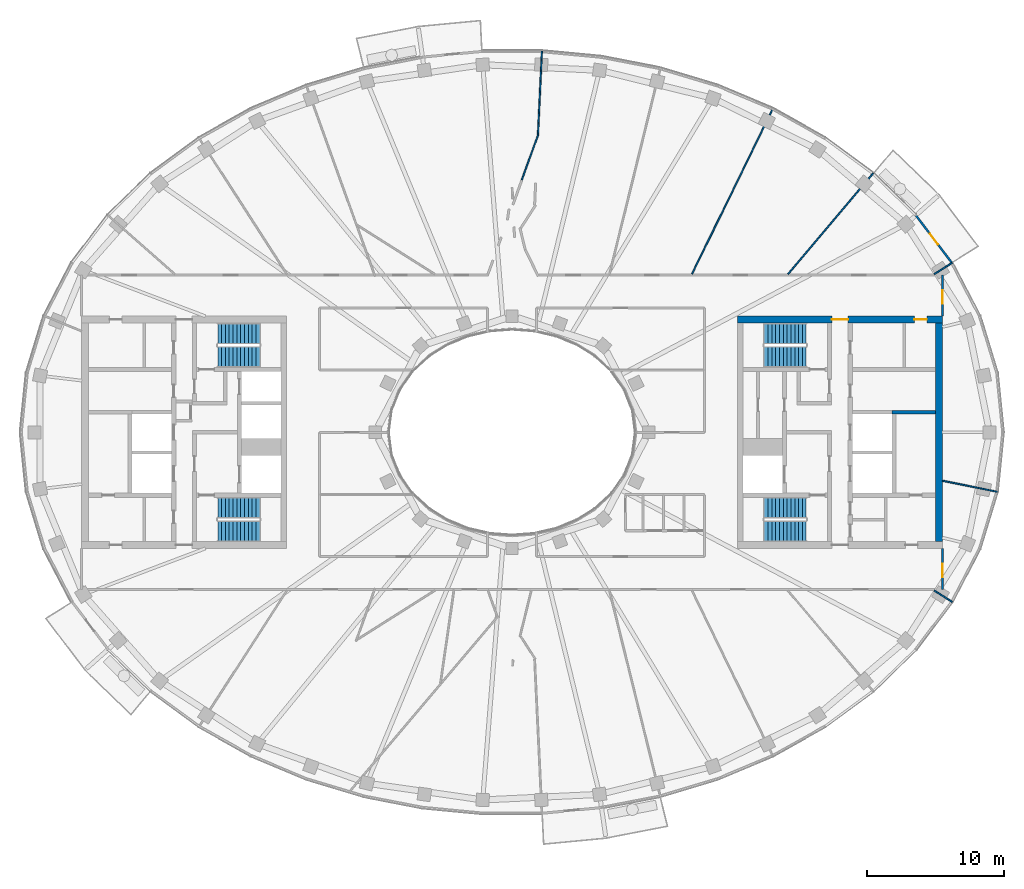
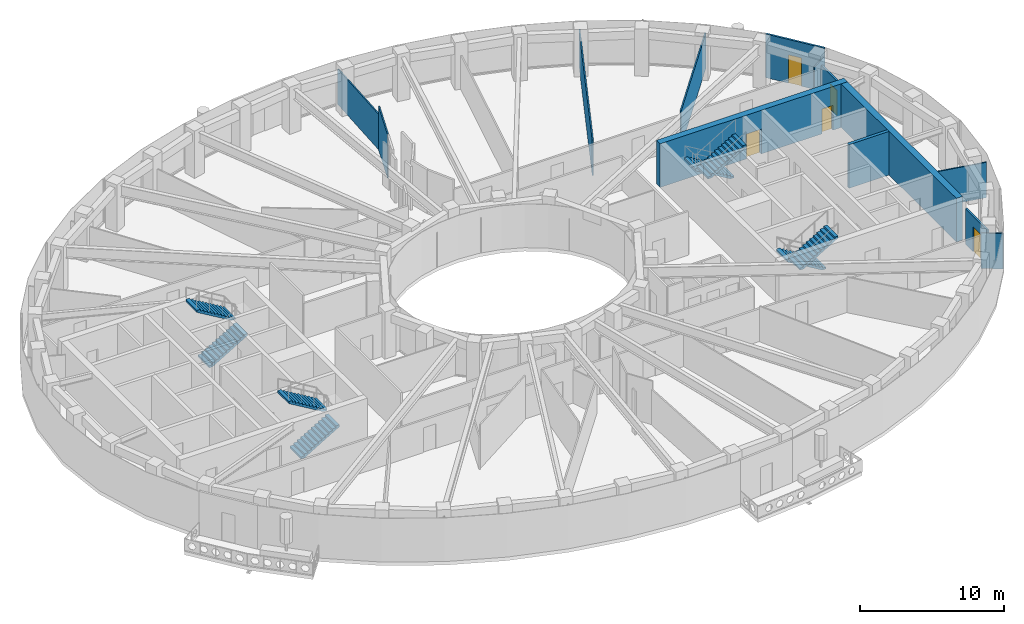
# One storey, part 7 of 16: 13 walls, 8 stair flights, 5 doors, 5 openings, 4 elements without a shape of their own.
"""IFC4 building model written with IfcOpenShell, lengths in metres."""

from ifc_helpers import new_model, si_unit, direction, frame, frame_2d, origin, place, context, subcontext, project, spatial, polyline, rectangle, outline, extrude, material, layer, layer_set, type_object, element, fill, aggregate, save


model = new_model("IFC4")

# Units and contexts
model_context = context("Model", 3, precision=1e-05, world=origin(), true_north=direction((0.0, 1.0)))
body_context = subcontext(model_context, "Body", "Model", "MODEL_VIEW")
ifc_project = project(units=[si_unit("LENGTHUNIT", "METRE"), si_unit("AREAUNIT", "SQUARE_METRE"), si_unit("VOLUMEUNIT", "CUBIC_METRE"), si_unit("PLANEANGLEUNIT", "RADIAN"), si_unit("MASSUNIT", "GRAM", prefix="KILO")], contexts=[model_context])

# Site, building, storey
site_placement = place(None, origin())
site = spatial("IfcSite", under=ifc_project, at=site_placement, CompositionType="ELEMENT")
building_placement = place(site_placement, origin())
building = spatial("IfcBuilding", under=site, at=building_placement, Name="Noorbagh Ring Tower", CompositionType="ELEMENT")
storey_placement = place(building_placement, frame((0.0, 0.0, 311.0)))
storey = spatial("IfcBuildingStorey", under=building, at=storey_placement, Name="L67", CompositionType="ELEMENT", Elevation=311.0)

# Wall
ifc_material_1 = material(Name="Concrete C50/60", Category="concrete")
ifc_layer_1 = layer(ifc_material_1, 0.25)
ifc_layer_set_1 = layer_set([ifc_layer_1], Name="Concrete C50/60")
wall_type_1 = type_object("IfcWallType", Name="CORE-WALL-250-C50-60-EI120", PredefinedType="SHEAR", material=ifc_layer_set_1)
wall_1_placement = place(storey_placement, frame((27.800048828125, 1.47509765625, 0.0), z_axis=(0.0, 0.0, 1.0), x_axis=(1.0, 0.0, 0.0)))
element("IfcWall", 1, at=wall_1_placement, inside=storey, type_object=wall_type_1, Name="Core wall E", PredefinedType="SHEAR", context=body_context, shape_type="SweptSolid", body=[
    extrude(rectangle(XDim=3.199951171875, YDim=0.25, at=frame_2d((1.60009765625, 0.0))), origin(), (0.0, 0.0, 1.0), 3.699951171875),
])

# Wall, openings, doors
ifc_material_2 = material(Name="Concrete C50/60", Category="concrete")
ifc_layer_2 = layer(ifc_material_2, 0.5)
ifc_layer_set_2 = layer_set([ifc_layer_2], Name="Concrete C50/60")
wall_type_2 = type_object("IfcWallType", Name="CORE-WALL-500-C50-60-EI240", PredefinedType="SHEAR", material=ifc_layer_set_2)
wall_2_placement = place(storey_placement, frame((16.5, 8.25, 0.0), z_axis=(0.0, 0.0, 1.0), x_axis=(1.0, 0.0, 0.0)))
wall_2 = element("IfcWall", 2, at=wall_2_placement, inside=storey, type_object=wall_type_2, Name="Core wall E", PredefinedType="SHEAR", context=body_context, shape_type="SweptSolid", body=[
    extrude(rectangle(XDim=15.0, YDim=0.5, at=frame_2d((7.5, 0.0))), origin(), (0.0, 0.0, 1.0), 3.699951171875),
])
opening_1_placement = place(wall_2_placement, frame((6.89990234375, 0.0, 0.0)))
opening_1 = element("IfcOpeningElement", 3, at=opening_1_placement, cuts=wall_2, Name="Opening L67-CE08", PredefinedType="OPENING", context=body_context, shape_type="SweptSolid", body=[
    extrude(rectangle(XDim=1.199951171875, YDim=2.10009765625, at=frame_2d((0.60009765625, 1.050048828125))), frame((0.0, 0.260009765625, 0.0), z_axis=(0.0, -1.0, 0.0), x_axis=(1.0, 0.0, 0.0)), (0.0, 0.0, 1.0), 0.52001953125),
])
opening_2_placement = place(wall_2_placement, frame((12.949951171875, 0.0, 0.0)))
opening_2 = element("IfcOpeningElement", 4, at=opening_2_placement, cuts=wall_2, Name="Opening L67-CE14", PredefinedType="OPENING", context=body_context, shape_type="SweptSolid", body=[
    extrude(rectangle(XDim=0.89990234375, YDim=2.10009765625, at=frame_2d((0.449951171875, 1.050048828125))), frame((0.0, 0.260009765625, 0.0), z_axis=(0.0, -1.0, 0.0), x_axis=(1.0, 0.0, 0.0)), (0.0, 0.0, 1.0), 0.52001953125),
])
ifc_material_3 = material(Name="Steel door leaf", Category="steel")
door_type_1 = type_object("IfcDoorType", Name="CORE-DOOR-DROOM", OperationType="SINGLE_SWING_LEFT", PredefinedType="DOOR", material=ifc_material_3)
door_1_placement = place(opening_2_placement, origin())
door_1 = element("IfcDoor", 5, at=door_1_placement, inside=storey, type_object=door_type_1, Name="Core room door L67-CE14", OperationType="SINGLE_SWING_LEFT", OverallHeight=2.10009765625, OverallWidth=0.89990234375, PredefinedType="DOOR", context=body_context, shape_type="SweptSolid", body=[
    extrude(rectangle(XDim=0.89990234375, YDim=2.10009765625, at=frame_2d((0.449951171875, 1.050048828125))), frame((0.0, 0.02490234375, 0.0), z_axis=(0.0, -1.0, 0.0), x_axis=(1.0, 0.0, 0.0)), (0.0, 0.0, 1.0), 0.050048828125),
])
fill(opening_2, door_1)
ifc_material_4 = material(Name="Steel door leaf", Category="steel")
door_type_2 = type_object("IfcDoorType", Name="CORE-DOOR-PORT", OperationType="DOUBLE_DOOR_DOUBLE_SWING", PredefinedType="DOOR", material=ifc_material_4)
door_2_placement = place(opening_1_placement, origin())
door_2 = element("IfcDoor", 6, at=door_2_placement, inside=storey, type_object=door_type_2, Name="Core entrance door L67-CE08", OperationType="DOUBLE_DOOR_DOUBLE_SWING", OverallHeight=2.10009765625, OverallWidth=1.199951171875, PredefinedType="DOOR", context=body_context, shape_type="SweptSolid", body=[
    extrude(rectangle(XDim=1.199951171875, YDim=2.10009765625, at=frame_2d((0.60009765625, 1.050048828125))), frame((0.0, 0.02490234375, 0.0), z_axis=(0.0, -1.0, 0.0), x_axis=(1.0, 0.0, 0.0)), (0.0, 0.0, 1.0), 0.050048828125),
])
fill(opening_1, door_2)

# Wall
wall_3_placement = place(storey_placement, frame((31.25, -8.0, 0.0), z_axis=(0.0, 0.0, 1.0), x_axis=(0.0, 1.0, 0.0)))
element("IfcWall", 7, at=wall_3_placement, inside=storey, type_object=wall_type_2, Name="Core wall E", PredefinedType="SHEAR", context=body_context, shape_type="SweptSolid", body=[
    extrude(rectangle(XDim=16.0, YDim=0.5, at=frame_2d((8.0, 0.0))), origin(), (0.0, 0.0, 1.0), 3.699951171875),
])

# Wall, opening, door
ifc_material_5 = material(Name="Gypsum board on steel studs", Category="steel")
ifc_layer_3 = layer(ifc_material_5, 0.14990234375)
ifc_layer_set_3 = layer_set([ifc_layer_3], Name="Gypsum board on steel studs")
wall_type_3 = type_object("IfcWallType", Name="CORRIDOR PARTITION 150 EI 30", PredefinedType="PARTITIONING", material=ifc_layer_set_3)
wall_4_placement = place(storey_placement, frame((31.5, -11.5, 0.0), z_axis=(0.0, 0.0, 1.0), x_axis=(0.0, 1.0, 0.0)))
wall_4 = element("IfcWall", 8, at=wall_4_placement, inside=storey, type_object=wall_type_3, Name="L67/wall/P72", PredefinedType="PARTITIONING", context=body_context, shape_type="SweptSolid", body=[
    extrude(rectangle(XDim=3.0, YDim=0.14990234375, at=frame_2d((1.5, 0.0))), origin(), (0.0, 0.0, 1.0), 3.0),
])
opening_3_placement = place(wall_4_placement, frame((0.89990234375, 0.0, 0.0)))
opening_3 = element("IfcOpeningElement", 9, at=opening_3_placement, cuts=wall_4, Name="Opening D1", PredefinedType="OPENING", context=body_context, shape_type="SweptSolid", body=[
    extrude(rectangle(XDim=1.0, YDim=2.10009765625, at=frame_2d((0.5, 1.050048828125))), frame((0.0, 0.0849609375, 0.0), z_axis=(0.0, -1.0, 0.0), x_axis=(1.0, 0.0, 0.0)), (0.0, 0.0, 1.0), 0.169921875),
])
ifc_material_6 = material(Name="Timber, painted", Category="wood")
door_type_3 = type_object("IfcDoorType", Name="DOOR 1000 X 2100 FD30", OperationType="SINGLE_SWING_LEFT", PredefinedType="DOOR", material=ifc_material_6)
door_3_placement = place(opening_3_placement, origin())
door_3 = element("IfcDoor", 10, at=door_3_placement, inside=storey, type_object=door_type_3, Name="L67-D24", OperationType="SINGLE_SWING_RIGHT", OverallHeight=2.10009765625, OverallWidth=1.0, PredefinedType="DOOR", context=body_context, shape_type="SweptSolid", body=[
    extrude(rectangle(XDim=1.0, YDim=2.10009765625, at=frame_2d((0.5, 1.050048828125))), frame((0.0, 0.02490234375, 0.0), z_axis=(0.0, -1.0, 0.0), x_axis=(1.0, 0.0, 0.0)), (0.0, 0.0, 1.0), 0.050048828125),
])
fill(opening_3, door_3)

wall_5_placement = place(storey_placement, frame((31.5, 8.5, 0.0), z_axis=(0.0, 0.0, 1.0), x_axis=(0.0, 1.0, 0.0)))
wall_5 = element("IfcWall", 11, at=wall_5_placement, inside=storey, type_object=wall_type_3, Name="L67/wall/P74", PredefinedType="PARTITIONING", context=body_context, shape_type="SweptSolid", body=[
    extrude(rectangle(XDim=3.0, YDim=0.14990234375, at=frame_2d((1.5, 0.0))), origin(), (0.0, 0.0, 1.0), 3.0),
])
opening_4_placement = place(wall_5_placement, frame((0.89990234375, 0.0, 0.0)))
opening_4 = element("IfcOpeningElement", 12, at=opening_4_placement, cuts=wall_5, Name="Opening D1", PredefinedType="OPENING", context=body_context, shape_type="SweptSolid", body=[
    extrude(rectangle(XDim=1.0, YDim=2.10009765625, at=frame_2d((0.5, 1.050048828125))), frame((0.0, 0.0849609375, 0.0), z_axis=(0.0, -1.0, 0.0), x_axis=(1.0, 0.0, 0.0)), (0.0, 0.0, 1.0), 0.169921875),
])
door_4_placement = place(opening_4_placement, origin())
door_4 = element("IfcDoor", 13, at=door_4_placement, inside=storey, type_object=door_type_3, Name="L67-D25", OperationType="SINGLE_SWING_LEFT", OverallHeight=2.10009765625, OverallWidth=1.0, PredefinedType="DOOR", context=body_context, shape_type="SweptSolid", body=[
    extrude(rectangle(XDim=1.0, YDim=2.10009765625, at=frame_2d((0.5, 1.050048828125))), frame((0.0, 0.02490234375, 0.0), z_axis=(0.0, -1.0, 0.0), x_axis=(1.0, 0.0, 0.0)), (0.0, 0.0, 1.0), 0.050048828125),
])
fill(opening_4, door_4)

ifc_material_7 = material(Name="Insulated aluminium clad panel", Category="aluminium")
ifc_layer_4 = layer(ifc_material_7, 0.14990234375)
ifc_layer_set_4 = layer_set([ifc_layer_4], Name="Insulated aluminium clad panel")
wall_type_4 = type_object("IfcWallType", Name="ENV-WALL-DOOR", PredefinedType="STANDARD", material=ifc_layer_set_4)
wall_6_placement = place(storey_placement, frame((32.20751953125, 12.37353515625, 0.0), z_axis=(0.0, 0.0, 1.0), x_axis=(-0.604045763106, 0.796949632081, 0.0)))
wall_6 = element("IfcWall", 14, at=wall_6_placement, inside=storey, type_object=wall_type_4, Name="Balcony door wall chord 04", PredefinedType="STANDARD", context=body_context, shape_type="SweptSolid", body=[
    extrude(rectangle(XDim=4.42333984375, YDim=0.14990234375, at=frame_2d((2.211669921875, 0.0))), origin(), (0.0, 0.0, 1.0), 3.699951171875),
])
opening_5_placement = place(wall_6_placement, frame((1.711669921875, 0.0, 0.0)))
opening_5 = element("IfcOpeningElement", 15, at=opening_5_placement, cuts=wall_6, Name="Opening D-BL", PredefinedType="OPENING", context=body_context, shape_type="SweptSolid", body=[
    extrude(rectangle(XDim=1.0, YDim=2.39990234375, at=frame_2d((0.5, 1.199951171875))), frame((0.0, 0.0849609375, 0.0), z_axis=(0.0, -1.0, 0.0), x_axis=(1.0, 0.0, 0.0)), (0.0, 0.0, 1.0), 0.169921875),
])
ifc_material_8 = material(Name="Aluminium and glass", Category="aluminium")
door_type_4 = type_object("IfcDoorType", Name="ENV-DOOR-BALCONY", OperationType="SINGLE_SWING_LEFT", PredefinedType="DOOR", material=ifc_material_8)
door_5_placement = place(opening_5_placement, origin())
door_5 = element("IfcDoor", 16, at=door_5_placement, inside=storey, type_object=door_type_4, Name="Balcony door chord 04", OperationType="SINGLE_SWING_RIGHT", OverallHeight=2.39990234375, OverallWidth=1.0, PredefinedType="DOOR", context=body_context, shape_type="SweptSolid", body=[
    extrude(rectangle(XDim=1.0, YDim=2.39990234375, at=frame_2d((0.5, 1.199951171875))), frame((0.0, 0.02490234375, 0.0), z_axis=(0.0, -1.0, 0.0), x_axis=(1.0, 0.0, 0.0)), (0.0, 0.0, 1.0), 0.050048828125),
])
fill(opening_5, door_5)

# Walls
ifc_material_9 = material(Name="Gypsum board on steel studs", Category="steel")
ifc_layer_5 = layer(ifc_material_9, 0.10009765625)
ifc_layer_set_5 = layer_set([ifc_layer_5], Name="Gypsum board on steel studs")
wall_type_5 = type_object("IfcWallType", Name="PARTITION 100 GYPSUM", PredefinedType="PARTITIONING", material=ifc_layer_set_5)
wall_7_placement = place(storey_placement, frame((0.714111328125, 18.451904296875, 0.0), z_axis=(0.0, 0.0, 1.0), x_axis=(0.338365217831, 0.941014866706, 0.0)))
element("IfcWall", 17, at=wall_7_placement, inside=storey, type_object=wall_type_5, Name="L67/wall/P40", PredefinedType="PARTITIONING", context=body_context, shape_type="SweptSolid", body=[
    extrude(rectangle(XDim=3.489990234375, YDim=0.10009765625, at=frame_2d((1.7451171875, 0.0))), origin(), (0.0, 0.0, 1.0), 3.699951171875),
])
wall_8_placement = place(storey_placement, frame((1.89794921875, 21.75, 0.0), z_axis=(0.0, 0.0, 1.0), x_axis=(0.047440765919, 0.998874052986, 0.0)))
element("IfcWall", 18, at=wall_8_placement, inside=storey, type_object=wall_type_5, Name="L67/wall/P50", PredefinedType="PARTITIONING", context=body_context, shape_type="SweptSolid", body=[
    extrude(rectangle(XDim=6.15478515625, YDim=0.10009765625, at=frame_2d((3.077392578125, 0.0))), origin(), (0.0, 0.0, 1.0), 3.0),
])
wall_9_placement = place(storey_placement, frame((13.1669921875, 11.5791015625, 0.0), z_axis=(0.0, 0.0, 1.0), x_axis=(0.439238726833, 0.898370380661, 0.0)))
element("IfcWall", 19, at=wall_9_placement, inside=storey, type_object=wall_type_5, Name="L67/wall/P65", PredefinedType="PARTITIONING", context=body_context, shape_type="SweptSolid", body=[
    extrude(rectangle(XDim=13.475341796875, YDim=0.10009765625, at=frame_2d((6.73779296875, 0.0))), origin(), (0.0, 0.0, 1.0), 3.0),
])
wall_10_placement = place(storey_placement, frame((20.18896484375, 11.577880859375, 0.0), z_axis=(0.0, 0.0, 1.0), x_axis=(0.646376264927, 0.763018822926, 0.0)))
element("IfcWall", 20, at=wall_10_placement, inside=storey, type_object=wall_type_5, Name="L67/wall/P69", PredefinedType="PARTITIONING", context=body_context, shape_type="SweptSolid", body=[
    extrude(rectangle(XDim=9.6552734375, YDim=0.10009765625, at=frame_2d((4.82763671875, 0.0))), origin(), (0.0, 0.0, 1.0), 3.0),
])
for number, where, z_axis, x_axis, name in (
    (21, (30.89697265625, -11.574951171875, 0.0), (0.0, 0.0, 1.0), (0.844757626245, -0.535149094086, 0.0), "L67/wall/P70"),
    (22, (30.89697265625, 11.574951171875, 0.0), (0.0, 0.0, 1.0), (0.844757626245, 0.535149094086, 0.0), "L67/wall/P71"),
):
    element("IfcWall", number, at=place(storey_placement, frame(where, z_axis=z_axis, x_axis=x_axis)), inside=storey, type_object=wall_type_5, Name=name, PredefinedType="PARTITIONING", context=body_context, shape_type="SweptSolid", body=[
        extrude(rectangle(XDim=1.556640625, YDim=0.10009765625, at=frame_2d((0.7783203125, 0.0))), origin(), (0.0, 0.0, 1.0), 3.0),
    ])
wall_11_placement = place(storey_placement, frame((31.5, -3.5419921875, 0.0), z_axis=(0.0, 0.0, 1.0), x_axis=(0.980357474535, -0.197228857227, 0.0)))
element("IfcWall", 23, at=wall_11_placement, inside=storey, type_object=wall_type_5, Name="L67/wall/P73", PredefinedType="PARTITIONING", context=body_context, shape_type="SweptSolid", body=[
    extrude(rectangle(XDim=4.09228515625, YDim=0.10009765625, at=frame_2d((2.046142578125, 0.0))), origin(), (0.0, 0.0, 1.0), 3.0),
])

# Stair, stair flights
ifc_material_10 = material(Name="Concrete C40/50", Category="concrete")
stair_type = type_object("IfcStairType", Name="CORE-STAIR", PredefinedType="HALF_TURN_STAIR", material=ifc_material_10)
stair_1_placement = place(storey_placement, origin())
stair_1 = element("IfcStair", 24, at=stair_1_placement, inside=storey, type_object=stair_type, Name="L67 Exit stair ST1", PredefinedType="HALF_TURN_STAIR")
ifc_material_11 = material(Name="Concrete C40/50", Category="concrete")
stair_flight_type = type_object("IfcStairFlightType", Name="CORE-STAIR-FLIGHT", PredefinedType="STRAIGHT", material=ifc_material_11)
stair_flight_1_placement = place(storey_placement, frame((-21.530029296875, 5.52490234375, 0.0), z_axis=(0.0, 0.0, 1.0), x_axis=(1.0, 0.0, 0.0)))
stair_flight_1 = element("IfcStairFlight", 25, at=stair_flight_1_placement, type_object=stair_flight_type, Name="ST1 flight 1", NumberOfRisers=12, NumberOfTreads=11, PredefinedType="STRAIGHT", RiserHeight=0.166666667, TreadLength=0.28, context=body_context, shape_type="SweptSolid", body=[
    extrude(outline(polyline([(0.0, 0.0), (0.0, 0.166748046875), (0.280029296875, 0.166748046875), (0.280029296875, 0.333251953125), (0.56005859375, 0.333251953125), (0.56005859375, 0.5), (0.840087890625, 0.5), (0.840087890625, 0.666748046875), (1.1201171875, 0.666748046875), (1.1201171875, 0.833251953125), (1.39990234375, 0.833251953125), (1.39990234375, 1.0), (1.679931640625, 1.0), (1.679931640625, 1.166748046875), (1.9599609375, 1.166748046875), (1.9599609375, 1.333251953125), (2.239990234375, 1.333251953125), (2.239990234375, 1.5), (2.52001953125, 1.5), (2.52001953125, 1.666748046875), (2.800048828125, 1.666748046875), (2.800048828125, 1.833251953125), (3.080078125, 1.833251953125), (3.080078125, 2.0), (3.080078125, 1.658935546875), (0.29296875, 0.0), (0.0, 0.0)])), frame((0.0, 0.77490234375, 0.0), z_axis=(0.0, -1.0, 0.0), x_axis=(1.0, 0.0, 0.0)), (0.0, 0.0, 1.0), 1.550048828125),
])
stair_flight_2_placement = place(storey_placement, frame((-18.449951171875, 7.22509765625, 2.0), z_axis=(0.0, 0.0, 1.0), x_axis=(-1.0, 0.0, 0.0)))
stair_flight_2 = element("IfcStairFlight", 26, at=stair_flight_2_placement, type_object=stair_flight_type, Name="ST1 flight 2", NumberOfRisers=12, NumberOfTreads=11, PredefinedType="STRAIGHT", RiserHeight=0.166666667, TreadLength=0.28, context=body_context, shape_type="SweptSolid", body=[
    extrude(outline(polyline([(0.0, 0.0), (0.0, 0.166748046875), (0.280029296875, 0.166748046875), (0.280029296875, 0.333251953125), (0.56005859375, 0.333251953125), (0.56005859375, 0.5), (0.840087890625, 0.5), (0.840087890625, 0.666748046875), (1.1201171875, 0.666748046875), (1.1201171875, 0.833251953125), (1.39990234375, 0.833251953125), (1.39990234375, 1.0), (1.679931640625, 1.0), (1.679931640625, 1.166748046875), (1.9599609375, 1.166748046875), (1.9599609375, 1.333251953125), (2.239990234375, 1.333251953125), (2.239990234375, 1.5), (2.52001953125, 1.5), (2.52001953125, 1.666748046875), (2.800048828125, 1.666748046875), (2.800048828125, 1.833251953125), (3.080078125, 1.833251953125), (3.080078125, 2.0), (3.080078125, 1.658935546875), (0.29296875, 0.0), (0.0, 0.0)])), frame((0.0, 0.77490234375, 0.0), z_axis=(0.0, -1.0, 0.0), x_axis=(1.0, 0.0, 0.0)), (0.0, 0.0, 1.0), 1.550048828125),
])
aggregate(stair_1, [stair_flight_1, stair_flight_2])

stair_2_placement = place(storey_placement, origin())
stair_2 = element("IfcStair", 27, at=stair_2_placement, inside=storey, type_object=stair_type, Name="L67 Exit stair ST2", PredefinedType="HALF_TURN_STAIR")
stair_flight_3_placement = place(storey_placement, frame((-21.530029296875, -7.22509765625, 0.0), z_axis=(0.0, 0.0, 1.0), x_axis=(1.0, 0.0, 0.0)))
stair_flight_3 = element("IfcStairFlight", 28, at=stair_flight_3_placement, type_object=stair_flight_type, Name="ST2 flight 1", NumberOfRisers=12, NumberOfTreads=11, PredefinedType="STRAIGHT", RiserHeight=0.166666667, TreadLength=0.28, context=body_context, shape_type="SweptSolid", body=[
    extrude(outline(polyline([(0.0, 0.0), (0.0, 0.166748046875), (0.280029296875, 0.166748046875), (0.280029296875, 0.333251953125), (0.56005859375, 0.333251953125), (0.56005859375, 0.5), (0.840087890625, 0.5), (0.840087890625, 0.666748046875), (1.1201171875, 0.666748046875), (1.1201171875, 0.833251953125), (1.39990234375, 0.833251953125), (1.39990234375, 1.0), (1.679931640625, 1.0), (1.679931640625, 1.166748046875), (1.9599609375, 1.166748046875), (1.9599609375, 1.333251953125), (2.239990234375, 1.333251953125), (2.239990234375, 1.5), (2.52001953125, 1.5), (2.52001953125, 1.666748046875), (2.800048828125, 1.666748046875), (2.800048828125, 1.833251953125), (3.080078125, 1.833251953125), (3.080078125, 2.0), (3.080078125, 1.658935546875), (0.29296875, 0.0), (0.0, 0.0)])), frame((0.0, 0.77490234375, 0.0), z_axis=(0.0, -1.0, 0.0), x_axis=(1.0, 0.0, 0.0)), (0.0, 0.0, 1.0), 1.550048828125),
])
stair_flight_4_placement = place(storey_placement, frame((-18.449951171875, -5.52490234375, 2.0), z_axis=(0.0, 0.0, 1.0), x_axis=(-1.0, 0.0, 0.0)))
stair_flight_4 = element("IfcStairFlight", 29, at=stair_flight_4_placement, type_object=stair_flight_type, Name="ST2 flight 2", NumberOfRisers=12, NumberOfTreads=11, PredefinedType="STRAIGHT", RiserHeight=0.166666667, TreadLength=0.28, context=body_context, shape_type="SweptSolid", body=[
    extrude(outline(polyline([(0.0, 0.0), (0.0, 0.166748046875), (0.280029296875, 0.166748046875), (0.280029296875, 0.333251953125), (0.56005859375, 0.333251953125), (0.56005859375, 0.5), (0.840087890625, 0.5), (0.840087890625, 0.666748046875), (1.1201171875, 0.666748046875), (1.1201171875, 0.833251953125), (1.39990234375, 0.833251953125), (1.39990234375, 1.0), (1.679931640625, 1.0), (1.679931640625, 1.166748046875), (1.9599609375, 1.166748046875), (1.9599609375, 1.333251953125), (2.239990234375, 1.333251953125), (2.239990234375, 1.5), (2.52001953125, 1.5), (2.52001953125, 1.666748046875), (2.800048828125, 1.666748046875), (2.800048828125, 1.833251953125), (3.080078125, 1.833251953125), (3.080078125, 2.0), (3.080078125, 1.658935546875), (0.29296875, 0.0), (0.0, 0.0)])), frame((0.0, 0.77490234375, 0.0), z_axis=(0.0, -1.0, 0.0), x_axis=(1.0, 0.0, 0.0)), (0.0, 0.0, 1.0), 1.550048828125),
])
aggregate(stair_2, [stair_flight_3, stair_flight_4])

stair_3_placement = place(storey_placement, origin())
stair_3 = element("IfcStair", 30, at=stair_3_placement, inside=storey, type_object=stair_type, Name="L67 Exit stair ST3", PredefinedType="HALF_TURN_STAIR")
stair_flight_5_placement = place(storey_placement, frame((21.530029296875, 7.22509765625, 0.0), z_axis=(0.0, 0.0, 1.0), x_axis=(-1.0, 0.0, 0.0)))
stair_flight_5 = element("IfcStairFlight", 31, at=stair_flight_5_placement, type_object=stair_flight_type, Name="ST3 flight 1", NumberOfRisers=12, NumberOfTreads=11, PredefinedType="STRAIGHT", RiserHeight=0.166666667, TreadLength=0.28, context=body_context, shape_type="SweptSolid", body=[
    extrude(outline(polyline([(0.0, 0.0), (0.0, 0.166748046875), (0.280029296875, 0.166748046875), (0.280029296875, 0.333251953125), (0.56005859375, 0.333251953125), (0.56005859375, 0.5), (0.840087890625, 0.5), (0.840087890625, 0.666748046875), (1.1201171875, 0.666748046875), (1.1201171875, 0.833251953125), (1.39990234375, 0.833251953125), (1.39990234375, 1.0), (1.679931640625, 1.0), (1.679931640625, 1.166748046875), (1.9599609375, 1.166748046875), (1.9599609375, 1.333251953125), (2.239990234375, 1.333251953125), (2.239990234375, 1.5), (2.52001953125, 1.5), (2.52001953125, 1.666748046875), (2.800048828125, 1.666748046875), (2.800048828125, 1.833251953125), (3.080078125, 1.833251953125), (3.080078125, 2.0), (3.080078125, 1.658935546875), (0.29296875, 0.0), (0.0, 0.0)])), frame((0.0, 0.77490234375, 0.0), z_axis=(0.0, -1.0, 0.0), x_axis=(1.0, 0.0, 0.0)), (0.0, 0.0, 1.0), 1.550048828125),
])
stair_flight_6_placement = place(storey_placement, frame((18.449951171875, 5.52490234375, 2.0), z_axis=(0.0, 0.0, 1.0), x_axis=(1.0, 0.0, 0.0)))
stair_flight_6 = element("IfcStairFlight", 32, at=stair_flight_6_placement, type_object=stair_flight_type, Name="ST3 flight 2", NumberOfRisers=12, NumberOfTreads=11, PredefinedType="STRAIGHT", RiserHeight=0.166666667, TreadLength=0.28, context=body_context, shape_type="SweptSolid", body=[
    extrude(outline(polyline([(0.0, 0.0), (0.0, 0.166748046875), (0.280029296875, 0.166748046875), (0.280029296875, 0.333251953125), (0.56005859375, 0.333251953125), (0.56005859375, 0.5), (0.840087890625, 0.5), (0.840087890625, 0.666748046875), (1.1201171875, 0.666748046875), (1.1201171875, 0.833251953125), (1.39990234375, 0.833251953125), (1.39990234375, 1.0), (1.679931640625, 1.0), (1.679931640625, 1.166748046875), (1.9599609375, 1.166748046875), (1.9599609375, 1.333251953125), (2.239990234375, 1.333251953125), (2.239990234375, 1.5), (2.52001953125, 1.5), (2.52001953125, 1.666748046875), (2.800048828125, 1.666748046875), (2.800048828125, 1.833251953125), (3.080078125, 1.833251953125), (3.080078125, 2.0), (3.080078125, 1.658935546875), (0.29296875, 0.0), (0.0, 0.0)])), frame((0.0, 0.77490234375, 0.0), z_axis=(0.0, -1.0, 0.0), x_axis=(1.0, 0.0, 0.0)), (0.0, 0.0, 1.0), 1.550048828125),
])
aggregate(stair_3, [stair_flight_5, stair_flight_6])

stair_4_placement = place(storey_placement, origin())
stair_4 = element("IfcStair", 33, at=stair_4_placement, inside=storey, type_object=stair_type, Name="L67 Exit stair ST4", PredefinedType="HALF_TURN_STAIR")
stair_flight_7_placement = place(storey_placement, frame((21.530029296875, -5.52490234375, 0.0), z_axis=(0.0, 0.0, 1.0), x_axis=(-1.0, 0.0, 0.0)))
stair_flight_7 = element("IfcStairFlight", 34, at=stair_flight_7_placement, type_object=stair_flight_type, Name="ST4 flight 1", NumberOfRisers=12, NumberOfTreads=11, PredefinedType="STRAIGHT", RiserHeight=0.166666667, TreadLength=0.28, context=body_context, shape_type="SweptSolid", body=[
    extrude(outline(polyline([(0.0, 0.0), (0.0, 0.166748046875), (0.280029296875, 0.166748046875), (0.280029296875, 0.333251953125), (0.56005859375, 0.333251953125), (0.56005859375, 0.5), (0.840087890625, 0.5), (0.840087890625, 0.666748046875), (1.1201171875, 0.666748046875), (1.1201171875, 0.833251953125), (1.39990234375, 0.833251953125), (1.39990234375, 1.0), (1.679931640625, 1.0), (1.679931640625, 1.166748046875), (1.9599609375, 1.166748046875), (1.9599609375, 1.333251953125), (2.239990234375, 1.333251953125), (2.239990234375, 1.5), (2.52001953125, 1.5), (2.52001953125, 1.666748046875), (2.800048828125, 1.666748046875), (2.800048828125, 1.833251953125), (3.080078125, 1.833251953125), (3.080078125, 2.0), (3.080078125, 1.658935546875), (0.29296875, 0.0), (0.0, 0.0)])), frame((0.0, 0.77490234375, 0.0), z_axis=(0.0, -1.0, 0.0), x_axis=(1.0, 0.0, 0.0)), (0.0, 0.0, 1.0), 1.550048828125),
])
stair_flight_8_placement = place(storey_placement, frame((18.449951171875, -7.22509765625, 2.0), z_axis=(0.0, 0.0, 1.0), x_axis=(1.0, 0.0, 0.0)))
stair_flight_8 = element("IfcStairFlight", 35, at=stair_flight_8_placement, type_object=stair_flight_type, Name="ST4 flight 2", NumberOfRisers=12, NumberOfTreads=11, PredefinedType="STRAIGHT", RiserHeight=0.166666667, TreadLength=0.28, context=body_context, shape_type="SweptSolid", body=[
    extrude(outline(polyline([(0.0, 0.0), (0.0, 0.166748046875), (0.280029296875, 0.166748046875), (0.280029296875, 0.333251953125), (0.56005859375, 0.333251953125), (0.56005859375, 0.5), (0.840087890625, 0.5), (0.840087890625, 0.666748046875), (1.1201171875, 0.666748046875), (1.1201171875, 0.833251953125), (1.39990234375, 0.833251953125), (1.39990234375, 1.0), (1.679931640625, 1.0), (1.679931640625, 1.166748046875), (1.9599609375, 1.166748046875), (1.9599609375, 1.333251953125), (2.239990234375, 1.333251953125), (2.239990234375, 1.5), (2.52001953125, 1.5), (2.52001953125, 1.666748046875), (2.800048828125, 1.666748046875), (2.800048828125, 1.833251953125), (3.080078125, 1.833251953125), (3.080078125, 2.0), (3.080078125, 1.658935546875), (0.29296875, 0.0), (0.0, 0.0)])), frame((0.0, 0.77490234375, 0.0), z_axis=(0.0, -1.0, 0.0), x_axis=(1.0, 0.0, 0.0)), (0.0, 0.0, 1.0), 1.550048828125),
])
aggregate(stair_4, [stair_flight_7, stair_flight_8])

save(model, "model.ifc")
